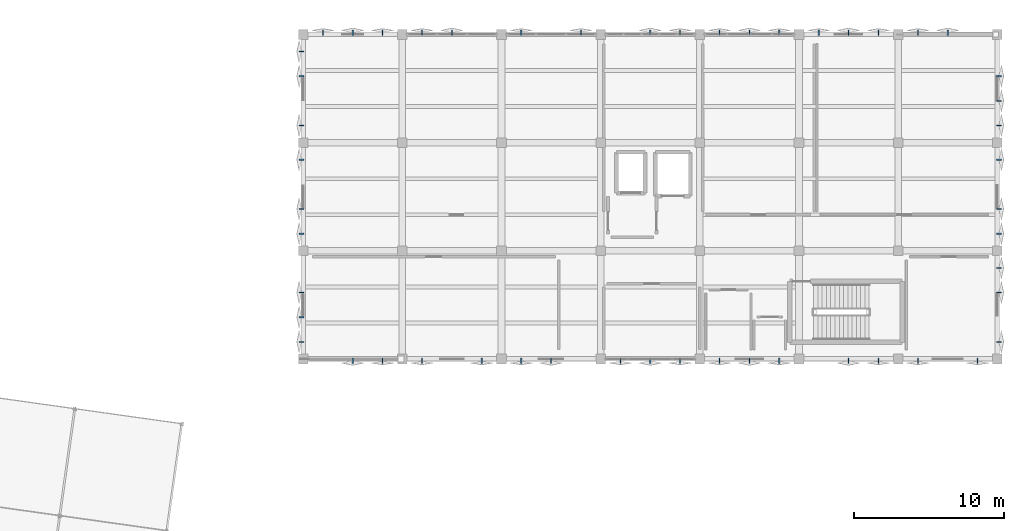
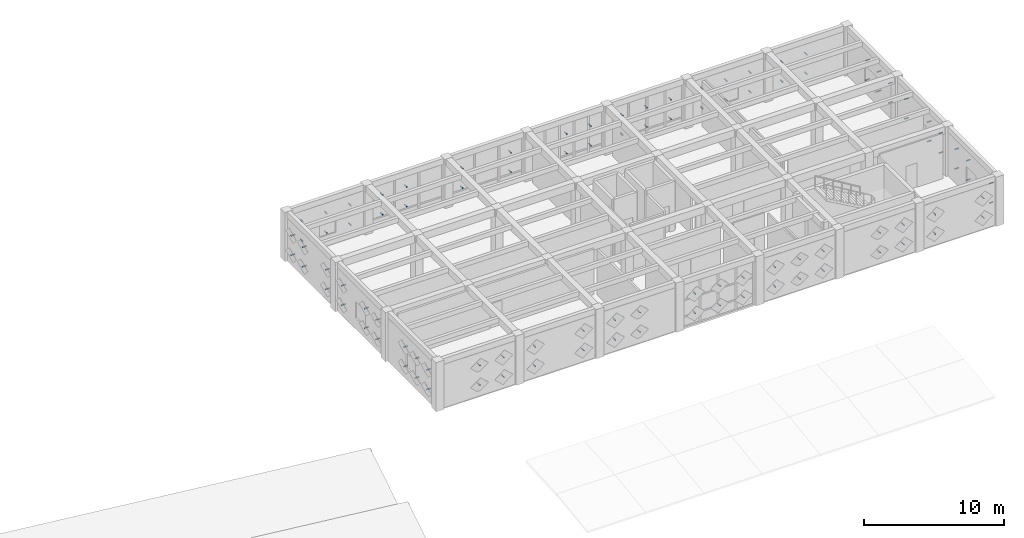
# One storey, part 44 of 48: 102 discrete accessories.
"""IFC4 building model written with IfcOpenShell, lengths in metres."""

from ifc_helpers import new_model, si_unit, direction, frame, origin, origin_2d, place, context, subcontext, project, spatial, hollow_rectangle, extrude, material, type_object, element, save


model = new_model("IFC4")

# Units and contexts
model_context = context("Model", 3, precision=1e-05, world=origin(), true_north=direction((0.0, 1.0)))
body_context = subcontext(model_context, "Body", "Model", "MODEL_VIEW")
ifc_project = project(units=[si_unit("LENGTHUNIT", "METRE"), si_unit("AREAUNIT", "SQUARE_METRE"), si_unit("VOLUMEUNIT", "CUBIC_METRE"), si_unit("PLANEANGLEUNIT", "RADIAN"), si_unit("MASSUNIT", "GRAM", prefix="KILO")], contexts=[model_context])

# Site, building, storey
site_placement = place(None, origin())
site = spatial("IfcSite", under=ifc_project, at=site_placement, CompositionType="ELEMENT")
building_placement = place(site_placement, origin())
building = spatial("IfcBuilding", under=site, at=building_placement, Name="Kharisveld Research Institute", CompositionType="ELEMENT")
storey_placement = place(building_placement, frame((0.0, 0.0, 14.10009765625)))
storey = spatial("IfcBuildingStorey", under=building, at=storey_placement, Name="L03", CompositionType="ELEMENT", Elevation=14.10009765625)

# Discrete accessories
ifc_material = material(Name="Steel S355JR", Category="steel")
discrete_accessory_type = type_object("IfcDiscreteAccessoryType", Name="BKT_ST_260", PredefinedType="BRACKET")
for number, where, z_axis, x_axis, name in (
    (1, (114.659912109375, 40.340087890625, 1.0498046875), (-1.0, 0.0, 0.0), (0.0, -1.0, 0.0), "BKT-SHD:V2:L03:W0:S0C0"),
    (2, (114.659912109375, 40.340087890625, 2.75), (-1.0, 0.0, 0.0), (0.0, -1.0, 0.0), "BKT-SHD:V2:L03:W0:S0C1"),
    (3, (114.659912109375, 41.97998046875, 1.0498046875), (-1.0, 0.0, 0.0), (0.0, -1.0, 0.0), "BKT-SHD:V2:L03:W0:S1C0"),
    (4, (114.659912109375, 41.97998046875, 2.75), (-1.0, 0.0, 0.0), (0.0, -1.0, 0.0), "BKT-SHD:V2:L03:W0:S1C1"),
    (5, (114.659912109375, 43.6201171875, 1.0498046875), (-1.0, 0.0, 0.0), (0.0, -1.0, 0.0), "BKT-SHD:V2:L03:W0:S2C0"),
    (6, (114.659912109375, 43.6201171875, 2.75), (-1.0, 0.0, 0.0), (0.0, -1.0, 0.0), "BKT-SHD:V2:L03:W0:S2C1"),
    (7, (114.659912109375, 47.5400390625, 1.0498046875), (-1.0, 0.0, 0.0), (0.0, -1.0, 0.0), "BKT-SHD:V2:L03:W1:S0C0"),
    (8, (114.659912109375, 47.5400390625, 2.75), (-1.0, 0.0, 0.0), (0.0, -1.0, 0.0), "BKT-SHD:V2:L03:W1:S0C1"),
    (9, (114.659912109375, 49.179931640625, 1.0498046875), (-1.0, 0.0, 0.0), (0.0, -1.0, 0.0), "BKT-SHD:V2:L03:W1:S1C0"),
    (10, (114.659912109375, 49.179931640625, 2.75), (-1.0, 0.0, 0.0), (0.0, -1.0, 0.0), "BKT-SHD:V2:L03:W1:S1C1"),
    (11, (114.659912109375, 52.4599609375, 1.0498046875), (-1.0, 0.0, 0.0), (0.0, -1.0, 0.0), "BKT-SHD:V2:L03:W1:S3C0"),
    (12, (114.659912109375, 52.4599609375, 2.75), (-1.0, 0.0, 0.0), (0.0, -1.0, 0.0), "BKT-SHD:V2:L03:W1:S3C1"),
    (13, (114.659912109375, 54.739990234375, 1.0498046875), (-1.0, 0.0, 0.0), (0.0, -1.0, 0.0), "BKT-SHD:V2:L03:W2:S0C0"),
    (14, (114.659912109375, 54.739990234375, 2.75), (-1.0, 0.0, 0.0), (0.0, -1.0, 0.0), "BKT-SHD:V2:L03:W2:S0C1"),
    (15, (114.659912109375, 58.02001953125, 1.0498046875), (-1.0, 0.0, 0.0), (0.0, -1.0, 0.0), "BKT-SHD:V2:L03:W2:S2C0"),
    (16, (114.659912109375, 58.02001953125, 2.75), (-1.0, 0.0, 0.0), (0.0, -1.0, 0.0), "BKT-SHD:V2:L03:W2:S2C1"),
    (17, (114.659912109375, 59.659912109375, 1.0498046875), (-1.0, 0.0, 0.0), (0.0, -1.0, 0.0), "BKT-SHD:V2:L03:W2:S3C0"),
    (18, (114.659912109375, 59.659912109375, 2.75), (-1.0, 0.0, 0.0), (0.0, -1.0, 0.0), "BKT-SHD:V2:L03:W2:S3C1"),
):
    element("IfcDiscreteAccessory", number, at=place(storey_placement, frame(where, z_axis=z_axis, x_axis=x_axis)), inside=storey, type_object=discrete_accessory_type, material=ifc_material, Name=name, ObjectType="BRACKET", PredefinedType="BRACKET", context=body_context, shape_type="SweptSolid", body=[
        extrude(hollow_rectangle(XDim=0.080078125, YDim=0.080078125, WallThickness=0.0048828125, at=origin_2d()), origin(), (0.0, 0.0, 1.0), 0.349853515625),
    ])
for number, where, z_axis, x_axis, name in (
    (19, (115.913330078125, 60.739990234375, 1.0498046875), (0.0, 1.0, 0.0), (-1.0, 0.0, 0.0), "BKT-SHD:V2:L03:N0:S0C0"),
    (20, (115.913330078125, 60.739990234375, 2.75), (0.0, 1.0, 0.0), (-1.0, 0.0, 0.0), "BKT-SHD:V2:L03:N0:S0C1"),
    (21, (117.89990234375, 60.739990234375, 1.0498046875), (0.0, 1.0, 0.0), (-1.0, 0.0, 0.0), "BKT-SHD:V2:L03:N0:S1C0"),
    (22, (117.89990234375, 60.739990234375, 2.75), (0.0, 1.0, 0.0), (-1.0, 0.0, 0.0), "BKT-SHD:V2:L03:N0:S1C1"),
    (23, (119.88671875, 60.739990234375, 1.0498046875), (0.0, 1.0, 0.0), (-1.0, 0.0, 0.0), "BKT-SHD:V2:L03:N0:S2C0"),
    (24, (119.88671875, 60.739990234375, 2.75), (0.0, 1.0, 0.0), (-1.0, 0.0, 0.0), "BKT-SHD:V2:L03:N0:S2C1"),
    (25, (122.513427734375, 60.739990234375, 1.0498046875), (0.0, 1.0, 0.0), (-1.0, 0.0, 0.0), "BKT-SHD:V2:L03:N1:S0C0"),
    (26, (122.513427734375, 60.739990234375, 2.75), (0.0, 1.0, 0.0), (-1.0, 0.0, 0.0), "BKT-SHD:V2:L03:N1:S0C1"),
    (27, (124.5, 60.739990234375, 1.0498046875), (0.0, 1.0, 0.0), (-1.0, 0.0, 0.0), "BKT-SHD:V2:L03:N1:S1C0"),
    (28, (124.5, 60.739990234375, 2.75), (0.0, 1.0, 0.0), (-1.0, 0.0, 0.0), "BKT-SHD:V2:L03:N1:S1C1"),
    (29, (129.11328125, 60.739990234375, 1.0498046875), (0.0, 1.0, 0.0), (-1.0, 0.0, 0.0), "BKT-SHD:V2:L03:N2:S0C0"),
    (30, (129.11328125, 60.739990234375, 2.75), (0.0, 1.0, 0.0), (-1.0, 0.0, 0.0), "BKT-SHD:V2:L03:N2:S0C1"),
    (31, (133.086669921875, 60.739990234375, 1.0498046875), (0.0, 1.0, 0.0), (-1.0, 0.0, 0.0), "BKT-SHD:V2:L03:N2:S2C0"),
    (32, (133.086669921875, 60.739990234375, 2.75), (0.0, 1.0, 0.0), (-1.0, 0.0, 0.0), "BKT-SHD:V2:L03:N2:S2C1"),
    (33, (137.699951171875, 60.739990234375, 1.0498046875), (0.0, 1.0, 0.0), (-1.0, 0.0, 0.0), "BKT-SHD:V2:L03:N3:S1C0"),
    (34, (137.699951171875, 60.739990234375, 2.75), (0.0, 1.0, 0.0), (-1.0, 0.0, 0.0), "BKT-SHD:V2:L03:N3:S1C1"),
    (35, (139.686767578125, 60.739990234375, 1.0498046875), (0.0, 1.0, 0.0), (-1.0, 0.0, 0.0), "BKT-SHD:V2:L03:N3:S2C0"),
    (36, (139.686767578125, 60.739990234375, 2.75), (0.0, 1.0, 0.0), (-1.0, 0.0, 0.0), "BKT-SHD:V2:L03:N3:S2C1"),
    (37, (142.313232421875, 60.739990234375, 1.0498046875), (0.0, 1.0, 0.0), (-1.0, 0.0, 0.0), "BKT-SHD:V2:L03:N4:S0C0"),
    (38, (142.313232421875, 60.739990234375, 2.75), (0.0, 1.0, 0.0), (-1.0, 0.0, 0.0), "BKT-SHD:V2:L03:N4:S0C1"),
    (39, (144.300048828125, 60.739990234375, 1.0498046875), (0.0, 1.0, 0.0), (-1.0, 0.0, 0.0), "BKT-SHD:V2:L03:N4:S1C0"),
    (40, (144.300048828125, 60.739990234375, 2.75), (0.0, 1.0, 0.0), (-1.0, 0.0, 0.0), "BKT-SHD:V2:L03:N4:S1C1"),
    (41, (146.28662109375, 60.739990234375, 1.0498046875), (0.0, 1.0, 0.0), (-1.0, 0.0, 0.0), "BKT-SHD:V2:L03:N4:S2C0"),
    (42, (146.28662109375, 60.739990234375, 2.75), (0.0, 1.0, 0.0), (-1.0, 0.0, 0.0), "BKT-SHD:V2:L03:N4:S2C1"),
    (43, (148.913330078125, 60.739990234375, 1.0498046875), (0.0, 1.0, 0.0), (-1.0, 0.0, 0.0), "BKT-SHD:V2:L03:N5:S0C0"),
    (44, (148.913330078125, 60.739990234375, 2.75), (0.0, 1.0, 0.0), (-1.0, 0.0, 0.0), "BKT-SHD:V2:L03:N5:S0C1"),
    (45, (150.89990234375, 60.739990234375, 1.0498046875), (0.0, 1.0, 0.0), (-1.0, 0.0, 0.0), "BKT-SHD:V2:L03:N5:S1C0"),
    (46, (150.89990234375, 60.739990234375, 2.75), (0.0, 1.0, 0.0), (-1.0, 0.0, 0.0), "BKT-SHD:V2:L03:N5:S1C1"),
    (47, (152.88671875, 60.739990234375, 1.0498046875), (0.0, 1.0, 0.0), (-1.0, 0.0, 0.0), "BKT-SHD:V2:L03:N5:S2C0"),
    (48, (152.88671875, 60.739990234375, 2.75), (0.0, 1.0, 0.0), (-1.0, 0.0, 0.0), "BKT-SHD:V2:L03:N5:S2C1"),
    (49, (155.513427734375, 60.739990234375, 1.0498046875), (0.0, 1.0, 0.0), (-1.0, 0.0, 0.0), "BKT-SHD:V2:L03:N6:S0C0"),
    (50, (155.513427734375, 60.739990234375, 2.75), (0.0, 1.0, 0.0), (-1.0, 0.0, 0.0), "BKT-SHD:V2:L03:N6:S0C1"),
    (51, (157.5, 60.739990234375, 1.0498046875), (0.0, 1.0, 0.0), (-1.0, 0.0, 0.0), "BKT-SHD:V2:L03:N6:S1C0"),
    (52, (157.5, 60.739990234375, 2.75), (0.0, 1.0, 0.0), (-1.0, 0.0, 0.0), "BKT-SHD:V2:L03:N6:S1C1"),
    (53, (160.739990234375, 58.02001953125, 1.0498046875), (1.0, 0.0, 0.0), (0.0, 1.0, 0.0), "BKT-SHD:V2:L03:E3:S1C0"),
    (54, (160.739990234375, 58.02001953125, 2.75), (1.0, 0.0, 0.0), (0.0, 1.0, 0.0), "BKT-SHD:V2:L03:E3:S1C1"),
    (55, (160.739990234375, 56.3798828125, 1.0498046875), (1.0, 0.0, 0.0), (0.0, 1.0, 0.0), "BKT-SHD:V2:L03:E3:S2C0"),
    (56, (160.739990234375, 56.3798828125, 2.75), (1.0, 0.0, 0.0), (0.0, 1.0, 0.0), "BKT-SHD:V2:L03:E3:S2C1"),
    (57, (160.739990234375, 54.739990234375, 1.0498046875), (1.0, 0.0, 0.0), (0.0, 1.0, 0.0), "BKT-SHD:V2:L03:E3:S3C0"),
    (58, (160.739990234375, 54.739990234375, 2.75), (1.0, 0.0, 0.0), (0.0, 1.0, 0.0), "BKT-SHD:V2:L03:E3:S3C1"),
    (59, (160.739990234375, 52.4599609375, 1.0498046875), (1.0, 0.0, 0.0), (0.0, 1.0, 0.0), "BKT-SHD:V2:L03:E2:S0C0"),
    (60, (160.739990234375, 52.4599609375, 2.75), (1.0, 0.0, 0.0), (0.0, 1.0, 0.0), "BKT-SHD:V2:L03:E2:S0C1"),
    (61, (160.739990234375, 49.179931640625, 1.0498046875), (1.0, 0.0, 0.0), (0.0, 1.0, 0.0), "BKT-SHD:V2:L03:E2:S2C0"),
    (62, (160.739990234375, 49.179931640625, 2.75), (1.0, 0.0, 0.0), (0.0, 1.0, 0.0), "BKT-SHD:V2:L03:E2:S2C1"),
    (63, (160.739990234375, 47.5400390625, 1.0498046875), (1.0, 0.0, 0.0), (0.0, 1.0, 0.0), "BKT-SHD:V2:L03:E2:S3C0"),
    (64, (160.739990234375, 47.5400390625, 2.75), (1.0, 0.0, 0.0), (0.0, 1.0, 0.0), "BKT-SHD:V2:L03:E2:S3C1"),
    (65, (160.739990234375, 45.260009765625, 1.0498046875), (1.0, 0.0, 0.0), (0.0, 1.0, 0.0), "BKT-SHD:V2:L03:E1:S0C0"),
    (66, (160.739990234375, 45.260009765625, 2.75), (1.0, 0.0, 0.0), (0.0, 1.0, 0.0), "BKT-SHD:V2:L03:E1:S0C1"),
    (67, (160.739990234375, 43.6201171875, 1.0498046875), (1.0, 0.0, 0.0), (0.0, 1.0, 0.0), "BKT-SHD:V2:L03:E1:S1C0"),
    (68, (160.739990234375, 43.6201171875, 2.75), (1.0, 0.0, 0.0), (0.0, 1.0, 0.0), "BKT-SHD:V2:L03:E1:S1C1"),
    (69, (160.739990234375, 40.340087890625, 1.0498046875), (1.0, 0.0, 0.0), (0.0, 1.0, 0.0), "BKT-SHD:V2:L03:E1:S3C0"),
    (70, (160.739990234375, 40.340087890625, 2.75), (1.0, 0.0, 0.0), (0.0, 1.0, 0.0), "BKT-SHD:V2:L03:E1:S3C1"),
    (71, (159.486572265625, 39.260009765625, 1.0498046875), (0.0, -1.0, 0.0), (1.0, 0.0, 0.0), "BKT-SHD:V2:L03:S7:S0C0"),
    (72, (159.486572265625, 39.260009765625, 2.75), (0.0, -1.0, 0.0), (1.0, 0.0, 0.0), "BKT-SHD:V2:L03:S7:S0C1"),
    (73, (155.513427734375, 39.260009765625, 1.0498046875), (0.0, -1.0, 0.0), (1.0, 0.0, 0.0), "BKT-SHD:V2:L03:S7:S2C0"),
    (74, (155.513427734375, 39.260009765625, 2.75), (0.0, -1.0, 0.0), (1.0, 0.0, 0.0), "BKT-SHD:V2:L03:S7:S2C1"),
    (75, (152.88671875, 39.260009765625, 1.0498046875), (0.0, -1.0, 0.0), (1.0, 0.0, 0.0), "BKT-SHD:V2:L03:S6:S0C0"),
    (76, (152.88671875, 39.260009765625, 2.75), (0.0, -1.0, 0.0), (1.0, 0.0, 0.0), "BKT-SHD:V2:L03:S6:S0C1"),
    (77, (150.89990234375, 39.260009765625, 1.0498046875), (0.0, -1.0, 0.0), (1.0, 0.0, 0.0), "BKT-SHD:V2:L03:S6:S1C0"),
    (78, (150.89990234375, 39.260009765625, 2.75), (0.0, -1.0, 0.0), (1.0, 0.0, 0.0), "BKT-SHD:V2:L03:S6:S1C1"),
    (79, (146.28662109375, 39.260009765625, 1.0498046875), (0.0, -1.0, 0.0), (1.0, 0.0, 0.0), "BKT-SHD:V2:L03:S5:S0C0"),
    (80, (146.28662109375, 39.260009765625, 2.75), (0.0, -1.0, 0.0), (1.0, 0.0, 0.0), "BKT-SHD:V2:L03:S5:S0C1"),
    (81, (144.300048828125, 39.260009765625, 1.0498046875), (0.0, -1.0, 0.0), (1.0, 0.0, 0.0), "BKT-SHD:V2:L03:S5:S1C0"),
    (82, (144.300048828125, 39.260009765625, 2.75), (0.0, -1.0, 0.0), (1.0, 0.0, 0.0), "BKT-SHD:V2:L03:S5:S1C1"),
    (83, (142.313232421875, 39.260009765625, 1.0498046875), (0.0, -1.0, 0.0), (1.0, 0.0, 0.0), "BKT-SHD:V2:L03:S5:S2C0"),
    (84, (142.313232421875, 39.260009765625, 2.75), (0.0, -1.0, 0.0), (1.0, 0.0, 0.0), "BKT-SHD:V2:L03:S5:S2C1"),
    (85, (139.686767578125, 39.260009765625, 1.0498046875), (0.0, -1.0, 0.0), (1.0, 0.0, 0.0), "BKT-SHD:V2:L03:S4:S0C0"),
    (86, (139.686767578125, 39.260009765625, 2.75), (0.0, -1.0, 0.0), (1.0, 0.0, 0.0), "BKT-SHD:V2:L03:S4:S0C1"),
    (87, (137.699951171875, 39.260009765625, 1.0498046875), (0.0, -1.0, 0.0), (1.0, 0.0, 0.0), "BKT-SHD:V2:L03:S4:S1C0"),
    (88, (137.699951171875, 39.260009765625, 2.75), (0.0, -1.0, 0.0), (1.0, 0.0, 0.0), "BKT-SHD:V2:L03:S4:S1C1"),
    (89, (135.71337890625, 39.260009765625, 1.0498046875), (0.0, -1.0, 0.0), (1.0, 0.0, 0.0), "BKT-SHD:V2:L03:S4:S2C0"),
    (90, (135.71337890625, 39.260009765625, 2.75), (0.0, -1.0, 0.0), (1.0, 0.0, 0.0), "BKT-SHD:V2:L03:S4:S2C1"),
    (91, (131.10009765625, 39.260009765625, 1.0498046875), (0.0, -1.0, 0.0), (1.0, 0.0, 0.0), "BKT-SHD:V2:L03:S3:S1C0"),
    (92, (131.10009765625, 39.260009765625, 2.75), (0.0, -1.0, 0.0), (1.0, 0.0, 0.0), "BKT-SHD:V2:L03:S3:S1C1"),
    (93, (129.11328125, 39.260009765625, 1.0498046875), (0.0, -1.0, 0.0), (1.0, 0.0, 0.0), "BKT-SHD:V2:L03:S3:S2C0"),
    (94, (129.11328125, 39.260009765625, 2.75), (0.0, -1.0, 0.0), (1.0, 0.0, 0.0), "BKT-SHD:V2:L03:S3:S2C1"),
    (95, (126.486572265625, 39.260009765625, 1.0498046875), (0.0, -1.0, 0.0), (1.0, 0.0, 0.0), "BKT-SHD:V2:L03:S2:S0C0"),
    (96, (126.486572265625, 39.260009765625, 2.75), (0.0, -1.0, 0.0), (1.0, 0.0, 0.0), "BKT-SHD:V2:L03:S2:S0C1"),
    (97, (122.513427734375, 39.260009765625, 1.0498046875), (0.0, -1.0, 0.0), (1.0, 0.0, 0.0), "BKT-SHD:V2:L03:S2:S2C0"),
    (98, (122.513427734375, 39.260009765625, 2.75), (0.0, -1.0, 0.0), (1.0, 0.0, 0.0), "BKT-SHD:V2:L03:S2:S2C1"),
    (99, (119.88671875, 39.260009765625, 1.0498046875), (0.0, -1.0, 0.0), (1.0, 0.0, 0.0), "BKT-SHD:V2:L03:S1:S0C0"),
    (100, (119.88671875, 39.260009765625, 2.75), (0.0, -1.0, 0.0), (1.0, 0.0, 0.0), "BKT-SHD:V2:L03:S1:S0C1"),
    (101, (117.89990234375, 39.260009765625, 1.0498046875), (0.0, -1.0, 0.0), (1.0, 0.0, 0.0), "BKT-SHD:V2:L03:S1:S1C0"),
    (102, (117.89990234375, 39.260009765625, 2.75), (0.0, -1.0, 0.0), (1.0, 0.0, 0.0), "BKT-SHD:V2:L03:S1:S1C1"),
):
    element("IfcDiscreteAccessory", number, at=place(storey_placement, frame(where, z_axis=z_axis, x_axis=x_axis)), inside=storey, type_object=discrete_accessory_type, material=ifc_material, Name=name, ObjectType="BRACKET", PredefinedType="BRACKET", context=body_context, shape_type="SweptSolid", body=[
        extrude(hollow_rectangle(XDim=0.080078125, YDim=0.080078125, WallThickness=0.0048828125, at=origin_2d()), origin(), (0.0, 0.0, 1.0), 0.35009765625),
    ])

save(model, "model.ifc")
